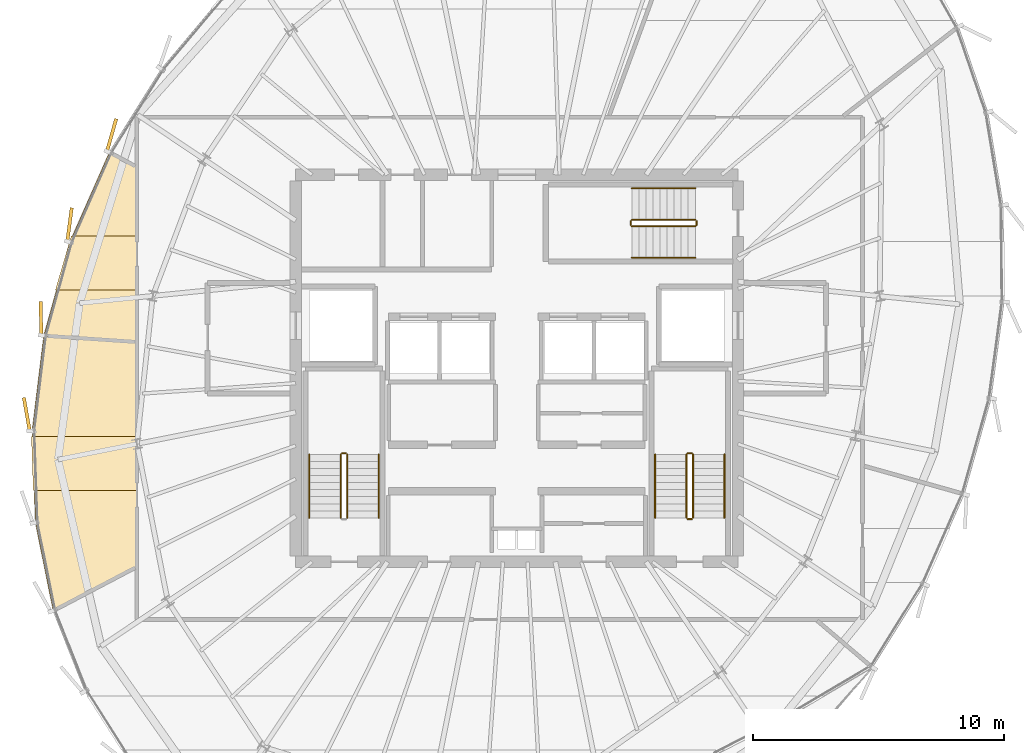
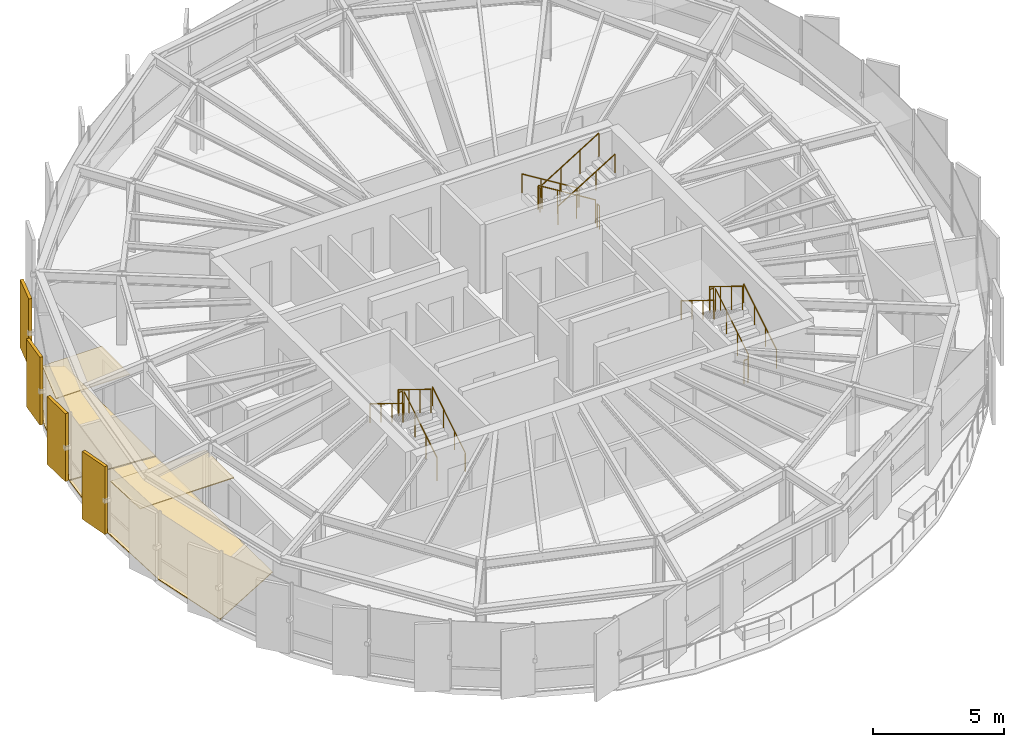
# One storey, part 30 of 31: 17 railings, 8 coverings.
"""IFC4 building model written with IfcOpenShell, lengths in metres."""

from ifc_helpers import new_model, si_unit, direction, frame, origin, origin_2d, place, context, subcontext, project, spatial, polyline, rectangle, circle, outline, extrude, source, transform, mapped, material, layer, layer_set, type_object, element, save


model = new_model("IFC4")

# Units and contexts
model_context = context("Model", 3, precision=1e-05, world=origin(), true_north=direction((0.0, 1.0)))
body_context = subcontext(model_context, "Body", "Model", "MODEL_VIEW")
ifc_project = project(units=[si_unit("LENGTHUNIT", "METRE"), si_unit("AREAUNIT", "SQUARE_METRE"), si_unit("VOLUMEUNIT", "CUBIC_METRE"), si_unit("PLANEANGLEUNIT", "RADIAN"), si_unit("MASSUNIT", "GRAM", prefix="KILO"), si_unit("THERMODYNAMICTEMPERATUREUNIT", "KELVIN")], contexts=[model_context])

# Site, building, storey
site_placement = place(None, origin())
site = spatial("IfcSite", under=ifc_project, at=site_placement, CompositionType="ELEMENT")
building_placement = place(site_placement, origin())
building = spatial("IfcBuilding", under=site, at=building_placement, Name="Kethvar Cultural Tower", CompositionType="ELEMENT")
storey_placement = place(building_placement, frame((0.0, 0.0, 283.60009765625)))
storey = spatial("IfcBuildingStorey", under=building, at=storey_placement, Name="L75", CompositionType="ELEMENT", Elevation=283.60009765625)

# Coverings
ifc_material_1 = material(Name="Acoustic Mineral Fibre Ceiling")
ifc_layer_1 = layer(ifc_material_1, 0.0400390625, Name="Acoustic Mineral Fibre Ceiling")
ifc_layer_set_1 = layer_set([ifc_layer_1], Name="Acoustic Mineral Fibre Ceiling (40 mm)")
covering_type_1 = type_object("IfcCoveringType", Name="CV-ACOUSTIC-CEIL", PredefinedType="CEILING", material=ifc_layer_set_1)
covering_1_placement = place(storey_placement, frame((0.0, 0.0, 2.559814453125)))
element("IfcCovering", 1, at=covering_1_placement, inside=storey, type_object=covering_type_1, Name="L75 Room 06 Acoustic Ceiling Panel", PredefinedType="CEILING", context=body_context, shape_type="SweptSolid", body=[
    extrude(outline(polyline([(28.437255859375, 30.91259765625), (29.0712890625, 33.062744140625), (31.699951171875, 33.062744140625), (31.699951171875, 30.91259765625), (28.437255859375, 30.91259765625)])), origin(), (0.0, 0.0, 1.0), 0.0400390625),
])
covering_2_placement = place(storey_placement, frame((0.0, 0.0, 2.559814453125)))
element("IfcCovering", 2, at=covering_2_placement, inside=storey, type_object=covering_type_1, Name="L75 Room 07 Acoustic Ceiling Panel", PredefinedType="CEILING", context=body_context, shape_type="SweptSolid", body=[
    extrude(outline(polyline([(27.484130859375, 25.087890625), (31.699951171875, 25.087890625), (31.699951171875, 22.93798828125), (27.5576171875, 22.93798828125), (27.484130859375, 25.087890625)])), origin(), (0.0, 0.0, 1.0), 0.0400390625),
])
ifc_material_2 = material(Name="Honed Warm Limestone", Category="masonry")
ifc_layer_2 = layer(ifc_material_2, 0.030029296875, Name="Honed Warm Limestone", Category="masonry")
ifc_layer_set_2 = layer_set([ifc_layer_2], Name="Honed Warm Limestone (30 mm)")
covering_type_2 = type_object("IfcCoveringType", Name="CV-STONE-FLOOR", PredefinedType="FLOORING", material=ifc_layer_set_2)
covering_3_placement = place(storey_placement, origin())
element("IfcCovering", 3, at=covering_3_placement, inside=storey, type_object=covering_type_2, Name="L75 Room 06 Floor Finish", PredefinedType="FLOORING", context=body_context, shape_type="SweptSolid", body=[
    extrude(outline(polyline([(27.98193359375, 29.12255859375), (29.00830078125, 32.8203125), (30.5732421875, 36.368896484375), (31.659912109375, 35.793701171875), (31.659912109375, 28.867919921875), (27.98193359375, 29.12255859375)])), origin(), (0.0, 0.0, 1.0), 0.02978515625),
])
covering_4_placement = place(storey_placement, origin())
element("IfcCovering", 4, at=covering_4_placement, inside=storey, type_object=covering_type_2, Name="L75 Room 07 Floor Finish", PredefinedType="FLOORING", context=body_context, shape_type="SweptSolid", body=[
    extrude(outline(polyline([(27.641357421875, 21.65673828125), (27.515380859375, 25.341064453125), (27.9736328125, 29.0830078125), (31.659912109375, 28.827880859375), (31.659912109375, 19.915283203125), (28.344482421875, 18.18359375), (27.641357421875, 21.65673828125)])), origin(), (0.0, 0.0, 1.0), 0.02978515625),
])

# Railings
ifc_material_3 = material(Name="Steel S355J2", Category="steel")
railing_type_1 = type_object("IfcRailingType", Name="RL-STAIR-GUARD", PredefinedType="BALUSTRADE", material=ifc_material_3)
railing_1_placement = place(storey_placement, frame((40.050048828125, 21.85009765625, 0.17236328125)))
element("IfcRailing", 5, at=railing_1_placement, inside=storey, type_object=railing_type_1, Name="L75 ST-01 stair guard 1", PredefinedType="BALUSTRADE", context=body_context, shape_type="SweptSolid", body=[
    extrude(circle(Radius=0.02392578125, at=origin_2d()), frame((0.0, 0.0, 1.09619140625), z_axis=(0.0, 0.851400495292, 0.524516154772), x_axis=(-1.0, 0.0, 0.0)), (0.0, 0.0, 1.0), 2.9599609375),
    extrude(circle(Radius=0.02099609375, at=origin_2d()), origin(), (0.0, 0.0, 1.0), 1.072021484375),
    extrude(circle(Radius=0.02099609375, at=origin_2d()), frame((0.0, 0.840087890625, 0.517578125)), (0.0, 0.0, 1.0), 1.072021484375),
    extrude(circle(Radius=0.02099609375, at=origin_2d()), frame((0.0, 1.679931640625, 1.034912109375)), (0.0, 0.0, 1.0), 1.072021484375),
    extrude(circle(Radius=0.02099609375, at=origin_2d()), frame((0.0, 2.52001953125, 1.552490234375)), (0.0, 0.0, 1.0), 1.072021484375),
])
railing_2_placement = place(storey_placement, frame((40.0, 24.419921875, 1.724853515625)))
element("IfcRailing", 6, at=railing_2_placement, inside=storey, type_object=railing_type_1, Name="L75 ST-01 stair guard 2", PredefinedType="BALUSTRADE", context=body_context, shape_type="SweptSolid", body=[
    extrude(circle(Radius=0.02392578125, at=origin_2d()), frame((0.0, 0.0, 1.09619140625), z_axis=(-1.0, 0.0, 0.0), x_axis=(0.0, -1.0, 0.0)), (0.0, 0.0, 1.0), 0.159912109375),
    extrude(circle(Radius=0.02099609375, at=origin_2d()), origin(), (0.0, 0.0, 1.0), 1.072021484375),
    extrude(circle(Radius=0.02099609375, at=origin_2d()), frame((-0.159912109375, 0.0, 0.0)), (0.0, 0.0, 1.0), 1.072021484375),
])
railing_3_placement = place(storey_placement, frame((39.7900390625, 24.3701171875, 1.8974609375)))
element("IfcRailing", 7, at=railing_3_placement, inside=storey, type_object=railing_type_1, Name="L75 ST-01 stair guard 3", PredefinedType="BALUSTRADE", context=body_context, shape_type="SweptSolid", body=[
    extrude(circle(Radius=0.02392578125, at=origin_2d()), frame((0.0, 0.0, 1.09619140625), z_axis=(0.0, -0.851400495292, 0.524516154772), x_axis=(1.0, 0.0, 0.0)), (0.0, 0.0, 1.0), 2.9599609375),
    extrude(circle(Radius=0.02099609375, at=origin_2d()), origin(), (0.0, 0.0, 1.0), 1.072021484375),
    extrude(circle(Radius=0.02099609375, at=origin_2d()), frame((0.0, -0.840087890625, 0.517578125)), (0.0, 0.0, 1.0), 1.072021484375),
    extrude(circle(Radius=0.02099609375, at=origin_2d()), frame((0.0, -1.679931640625, 1.034912109375)), (0.0, 0.0, 1.0), 1.072021484375),
    extrude(circle(Radius=0.02099609375, at=origin_2d()), frame((0.0, -2.52001953125, 1.552490234375)), (0.0, 0.0, 1.0), 1.072021484375),
])
railing_4_placement = place(storey_placement, frame((53.81005859375, 21.85009765625, 0.17236328125)))
element("IfcRailing", 8, at=railing_4_placement, inside=storey, type_object=railing_type_1, Name="L75 ST-02 stair guard 1", PredefinedType="BALUSTRADE", context=body_context, shape_type="SweptSolid", body=[
    extrude(circle(Radius=0.02392578125, at=origin_2d()), frame((0.0, 0.0, 1.09619140625), z_axis=(0.0, 0.851400495292, 0.524516154772), x_axis=(-1.0, 0.0, 0.0)), (0.0, 0.0, 1.0), 2.9599609375),
    extrude(circle(Radius=0.02099609375, at=origin_2d()), origin(), (0.0, 0.0, 1.0), 1.072021484375),
    extrude(circle(Radius=0.02099609375, at=origin_2d()), frame((0.0, 0.840087890625, 0.517578125)), (0.0, 0.0, 1.0), 1.072021484375),
    extrude(circle(Radius=0.02099609375, at=origin_2d()), frame((0.0, 1.679931640625, 1.034912109375)), (0.0, 0.0, 1.0), 1.072021484375),
    extrude(circle(Radius=0.02099609375, at=origin_2d()), frame((0.0, 2.52001953125, 1.552490234375)), (0.0, 0.0, 1.0), 1.072021484375),
])
railing_5_placement = place(storey_placement, frame((53.760009765625, 24.419921875, 1.724853515625)))
element("IfcRailing", 9, at=railing_5_placement, inside=storey, type_object=railing_type_1, Name="L75 ST-02 stair guard 2", PredefinedType="BALUSTRADE", context=body_context, shape_type="SweptSolid", body=[
    extrude(circle(Radius=0.02392578125, at=origin_2d()), frame((0.0, 0.0, 1.09619140625), z_axis=(-1.0, 0.0, 0.0), x_axis=(0.0, -1.0, 0.0)), (0.0, 0.0, 1.0), 0.159912109375),
    extrude(circle(Radius=0.02099609375, at=origin_2d()), origin(), (0.0, 0.0, 1.0), 1.072021484375),
    extrude(circle(Radius=0.02099609375, at=origin_2d()), frame((-0.159912109375, 0.0, 0.0)), (0.0, 0.0, 1.0), 1.072021484375),
])
railing_6_placement = place(storey_placement, frame((53.550048828125, 24.3701171875, 1.8974609375)))
element("IfcRailing", 10, at=railing_6_placement, inside=storey, type_object=railing_type_1, Name="L75 ST-02 stair guard 3", PredefinedType="BALUSTRADE", context=body_context, shape_type="SweptSolid", body=[
    extrude(circle(Radius=0.02392578125, at=origin_2d()), frame((0.0, 0.0, 1.09619140625), z_axis=(0.0, -0.851400495292, 0.524516154772), x_axis=(1.0, 0.0, 0.0)), (0.0, 0.0, 1.0), 2.9599609375),
    extrude(circle(Radius=0.02099609375, at=origin_2d()), origin(), (0.0, 0.0, 1.0), 1.072021484375),
    extrude(circle(Radius=0.02099609375, at=origin_2d()), frame((0.0, -0.840087890625, 0.517578125)), (0.0, 0.0, 1.0), 1.072021484375),
    extrude(circle(Radius=0.02099609375, at=origin_2d()), frame((0.0, -1.679931640625, 1.034912109375)), (0.0, 0.0, 1.0), 1.072021484375),
    extrude(circle(Radius=0.02099609375, at=origin_2d()), frame((0.0, -2.52001953125, 1.552490234375)), (0.0, 0.0, 1.0), 1.072021484375),
])
railing_7_placement = place(storey_placement, frame((53.760009765625, 21.800048828125, 0.0)))
element("IfcRailing", 11, at=railing_7_placement, inside=storey, type_object=railing_type_1, Name="L75 ST-02 stair guard 4", PredefinedType="BALUSTRADE", context=body_context, shape_type="SweptSolid", body=[
    extrude(circle(Radius=0.02392578125, at=origin_2d()), frame((0.0, 0.0, 1.09619140625), z_axis=(-1.0, 0.0, 0.0), x_axis=(0.0, -1.0, 0.0)), (0.0, 0.0, 1.0), 0.159912109375),
    extrude(circle(Radius=0.02099609375, at=origin_2d()), origin(), (0.0, 0.0, 1.0), 1.072021484375),
    extrude(circle(Radius=0.02099609375, at=origin_2d()), frame((-0.159912109375, 0.0, 0.0)), (0.0, 0.0, 1.0), 1.072021484375),
])
railing_8_placement = place(storey_placement, frame((53.89990234375, 33.7099609375, 0.17236328125)))
element("IfcRailing", 12, at=railing_8_placement, inside=storey, type_object=railing_type_1, Name="L75 ST-03 stair guard 1", PredefinedType="BALUSTRADE", context=body_context, shape_type="SweptSolid", body=[
    extrude(circle(Radius=0.02392578125, at=origin_2d()), frame((0.0, 0.0, 1.09619140625), z_axis=(-0.851400495292, 0.0, 0.524516154772), x_axis=(0.0, -1.0, 0.0)), (0.0, 0.0, 1.0), 2.9599609375),
    extrude(circle(Radius=0.02099609375, at=origin_2d()), origin(), (0.0, 0.0, 1.0), 1.072021484375),
    extrude(circle(Radius=0.02099609375, at=origin_2d()), frame((-0.840087890625, 0.0, 0.517578125)), (0.0, 0.0, 1.0), 1.072021484375),
    extrude(circle(Radius=0.02099609375, at=origin_2d()), frame((-1.679931640625, 0.0, 1.034912109375)), (0.0, 0.0, 1.0), 1.072021484375),
    extrude(circle(Radius=0.02099609375, at=origin_2d()), frame((-2.52001953125, 0.0, 1.552490234375)), (0.0, 0.0, 1.0), 1.072021484375),
])
railing_9_placement = place(storey_placement, frame((51.330078125, 33.659912109375, 1.724853515625)))
element("IfcRailing", 13, at=railing_9_placement, inside=storey, type_object=railing_type_1, Name="L75 ST-03 stair guard 2", PredefinedType="BALUSTRADE", context=body_context, shape_type="SweptSolid", body=[
    extrude(circle(Radius=0.02392578125, at=origin_2d()), frame((0.0, 0.0, 1.09619140625), z_axis=(0.0, -1.0, 0.0), x_axis=(1.0, 0.0, 0.0)), (0.0, 0.0, 1.0), 0.159912109375),
    extrude(circle(Radius=0.02099609375, at=origin_2d()), origin(), (0.0, 0.0, 1.0), 1.072021484375),
    extrude(circle(Radius=0.02099609375, at=origin_2d()), frame((0.0, -0.159912109375, 0.0)), (0.0, 0.0, 1.0), 1.072021484375),
])
railing_10_placement = place(storey_placement, frame((51.3798828125, 33.449951171875, 1.8974609375)))
element("IfcRailing", 14, at=railing_10_placement, inside=storey, type_object=railing_type_1, Name="L75 ST-03 stair guard 3", PredefinedType="BALUSTRADE", context=body_context, shape_type="SweptSolid", body=[
    extrude(circle(Radius=0.02392578125, at=origin_2d()), frame((0.0, 0.0, 1.09619140625), z_axis=(0.851400495292, 0.0, 0.524516154772), x_axis=(0.0, 1.0, 0.0)), (0.0, 0.0, 1.0), 2.9599609375),
    extrude(circle(Radius=0.02099609375, at=origin_2d()), origin(), (0.0, 0.0, 1.0), 1.072021484375),
    extrude(circle(Radius=0.02099609375, at=origin_2d()), frame((0.840087890625, 0.0, 0.517578125)), (0.0, 0.0, 1.0), 1.072021484375),
    extrude(circle(Radius=0.02099609375, at=origin_2d()), frame((1.679931640625, 0.0, 1.034912109375)), (0.0, 0.0, 1.0), 1.072021484375),
    extrude(circle(Radius=0.02099609375, at=origin_2d()), frame((2.52001953125, 0.0, 1.552490234375)), (0.0, 0.0, 1.0), 1.072021484375),
])
railing_11_placement = place(storey_placement, frame((53.949951171875, 33.659912109375, 0.0)))
element("IfcRailing", 15, at=railing_11_placement, inside=storey, type_object=railing_type_1, Name="L75 ST-03 stair guard 4", PredefinedType="BALUSTRADE", context=body_context, shape_type="SweptSolid", body=[
    extrude(circle(Radius=0.02392578125, at=origin_2d()), frame((0.0, 0.0, 1.09619140625), z_axis=(0.0, -1.0, 0.0), x_axis=(1.0, 0.0, 0.0)), (0.0, 0.0, 1.0), 0.159912109375),
    extrude(circle(Radius=0.02099609375, at=origin_2d()), origin(), (0.0, 0.0, 1.0), 1.072021484375),
    extrude(circle(Radius=0.02099609375, at=origin_2d()), frame((0.0, -0.159912109375, 0.0)), (0.0, 0.0, 1.0), 1.072021484375),
])
railing_type_2 = type_object("IfcRailingType", Name="RL-STAIR-HANDRAIL", PredefinedType="HANDRAIL", material=ifc_material_3)
railing_12_placement = place(storey_placement, frame((41.300048828125, 21.85009765625, 0.17236328125)))
element("IfcRailing", 16, at=railing_12_placement, inside=storey, type_object=railing_type_2, Name="L75 ST-01 stair handrail 1", PredefinedType="HANDRAIL", context=body_context, shape_type="SweptSolid", body=[
    extrude(circle(Radius=0.02392578125, at=origin_2d()), frame((0.0, 0.0, 0.8759765625), z_axis=(0.0, 0.851400495292, 0.524516154772), x_axis=(-1.0, 0.0, 0.0)), (0.0, 0.0, 1.0), 2.9599609375),
    extrude(circle(Radius=0.02099609375, at=origin_2d()), origin(), (0.0, 0.0, 1.0), 0.851806640625),
    extrude(circle(Radius=0.02099609375, at=origin_2d()), frame((0.0, 0.840087890625, 0.517578125)), (0.0, 0.0, 1.0), 0.851806640625),
    extrude(circle(Radius=0.02099609375, at=origin_2d()), frame((0.0, 1.679931640625, 1.034912109375)), (0.0, 0.0, 1.0), 0.851806640625),
    extrude(circle(Radius=0.02099609375, at=origin_2d()), frame((0.0, 2.52001953125, 1.552490234375)), (0.0, 0.0, 1.0), 0.851806640625),
])
railing_13_placement = place(storey_placement, frame((38.5400390625, 24.3701171875, 1.8974609375)))
element("IfcRailing", 17, at=railing_13_placement, inside=storey, type_object=railing_type_2, Name="L75 ST-01 stair handrail 2", PredefinedType="HANDRAIL", context=body_context, shape_type="SweptSolid", body=[
    extrude(circle(Radius=0.02392578125, at=origin_2d()), frame((0.0, 0.0, 0.8759765625), z_axis=(0.0, -0.851400495292, 0.524516154772), x_axis=(1.0, 0.0, 0.0)), (0.0, 0.0, 1.0), 2.9599609375),
    extrude(circle(Radius=0.02099609375, at=origin_2d()), origin(), (0.0, 0.0, 1.0), 0.851806640625),
    extrude(circle(Radius=0.02099609375, at=origin_2d()), frame((0.0, -0.840087890625, 0.517578125)), (0.0, 0.0, 1.0), 0.851806640625),
    extrude(circle(Radius=0.02099609375, at=origin_2d()), frame((0.0, -1.679931640625, 1.034912109375)), (0.0, 0.0, 1.0), 0.851806640625),
    extrude(circle(Radius=0.02099609375, at=origin_2d()), frame((0.0, -2.52001953125, 1.552490234375)), (0.0, 0.0, 1.0), 0.851806640625),
])
railing_14_placement = place(storey_placement, frame((55.06005859375, 21.85009765625, 0.17236328125)))
element("IfcRailing", 18, at=railing_14_placement, inside=storey, type_object=railing_type_2, Name="L75 ST-02 stair handrail 1", PredefinedType="HANDRAIL", context=body_context, shape_type="SweptSolid", body=[
    extrude(circle(Radius=0.02392578125, at=origin_2d()), frame((0.0, 0.0, 0.8759765625), z_axis=(0.0, 0.851400495292, 0.524516154772), x_axis=(-1.0, 0.0, 0.0)), (0.0, 0.0, 1.0), 2.9599609375),
    extrude(circle(Radius=0.02099609375, at=origin_2d()), origin(), (0.0, 0.0, 1.0), 0.851806640625),
    extrude(circle(Radius=0.02099609375, at=origin_2d()), frame((0.0, 0.840087890625, 0.517578125)), (0.0, 0.0, 1.0), 0.851806640625),
    extrude(circle(Radius=0.02099609375, at=origin_2d()), frame((0.0, 1.679931640625, 1.034912109375)), (0.0, 0.0, 1.0), 0.851806640625),
    extrude(circle(Radius=0.02099609375, at=origin_2d()), frame((0.0, 2.52001953125, 1.552490234375)), (0.0, 0.0, 1.0), 0.851806640625),
])
railing_15_placement = place(storey_placement, frame((52.300048828125, 24.3701171875, 1.8974609375)))
element("IfcRailing", 19, at=railing_15_placement, inside=storey, type_object=railing_type_2, Name="L75 ST-02 stair handrail 2", PredefinedType="HANDRAIL", context=body_context, shape_type="SweptSolid", body=[
    extrude(circle(Radius=0.02392578125, at=origin_2d()), frame((0.0, 0.0, 0.8759765625), z_axis=(0.0, -0.851400495292, 0.524516154772), x_axis=(1.0, 0.0, 0.0)), (0.0, 0.0, 1.0), 2.9599609375),
    extrude(circle(Radius=0.02099609375, at=origin_2d()), origin(), (0.0, 0.0, 1.0), 0.851806640625),
    extrude(circle(Radius=0.02099609375, at=origin_2d()), frame((0.0, -0.840087890625, 0.517578125)), (0.0, 0.0, 1.0), 0.851806640625),
    extrude(circle(Radius=0.02099609375, at=origin_2d()), frame((0.0, -1.679931640625, 1.034912109375)), (0.0, 0.0, 1.0), 0.851806640625),
    extrude(circle(Radius=0.02099609375, at=origin_2d()), frame((0.0, -2.52001953125, 1.552490234375)), (0.0, 0.0, 1.0), 0.851806640625),
])
railing_16_placement = place(storey_placement, frame((53.89990234375, 34.9599609375, 0.17236328125)))
element("IfcRailing", 20, at=railing_16_placement, inside=storey, type_object=railing_type_2, Name="L75 ST-03 stair handrail 1", PredefinedType="HANDRAIL", context=body_context, shape_type="SweptSolid", body=[
    extrude(circle(Radius=0.02392578125, at=origin_2d()), frame((0.0, 0.0, 0.8759765625), z_axis=(-0.851400495292, 0.0, 0.524516154772), x_axis=(0.0, -1.0, 0.0)), (0.0, 0.0, 1.0), 2.9599609375),
    extrude(circle(Radius=0.02099609375, at=origin_2d()), origin(), (0.0, 0.0, 1.0), 0.851806640625),
    extrude(circle(Radius=0.02099609375, at=origin_2d()), frame((-0.840087890625, 0.0, 0.517578125)), (0.0, 0.0, 1.0), 0.851806640625),
    extrude(circle(Radius=0.02099609375, at=origin_2d()), frame((-1.679931640625, 0.0, 1.034912109375)), (0.0, 0.0, 1.0), 0.851806640625),
    extrude(circle(Radius=0.02099609375, at=origin_2d()), frame((-2.52001953125, 0.0, 1.552490234375)), (0.0, 0.0, 1.0), 0.851806640625),
])
railing_17_placement = place(storey_placement, frame((51.3798828125, 32.199951171875, 1.8974609375)))
element("IfcRailing", 21, at=railing_17_placement, inside=storey, type_object=railing_type_2, Name="L75 ST-03 stair handrail 2", PredefinedType="HANDRAIL", context=body_context, shape_type="SweptSolid", body=[
    extrude(circle(Radius=0.02392578125, at=origin_2d()), frame((0.0, 0.0, 0.8759765625), z_axis=(0.851400495292, 0.0, 0.524516154772), x_axis=(0.0, 1.0, 0.0)), (0.0, 0.0, 1.0), 2.9599609375),
    extrude(circle(Radius=0.02099609375, at=origin_2d()), origin(), (0.0, 0.0, 1.0), 0.851806640625),
    extrude(circle(Radius=0.02099609375, at=origin_2d()), frame((0.840087890625, 0.0, 0.517578125)), (0.0, 0.0, 1.0), 0.851806640625),
    extrude(circle(Radius=0.02099609375, at=origin_2d()), frame((1.679931640625, 0.0, 1.034912109375)), (0.0, 0.0, 1.0), 0.851806640625),
    extrude(circle(Radius=0.02099609375, at=origin_2d()), frame((2.52001953125, 0.0, 1.552490234375)), (0.0, 0.0, 1.0), 0.851806640625),
])

# Coverings
ifc_material_4 = material(Name="Extruded Architectural Terracotta", Category="masonry")
ifc_layer_3 = layer(ifc_material_4, 0.135009765625, Name="Extruded Architectural Terracotta", Category="masonry")
ifc_layer_set_3 = layer_set([ifc_layer_3], Name="Extruded Architectural Terracotta (135 mm)")
covering_type_3 = type_object("IfcCoveringType", Name="Terracotta Facade Fin FIN-03", PredefinedType="CLADDING", material=ifc_layer_set_3)
shared_shape = source(origin(), body_context, "Body", "SweptSolid", [
    extrude(rectangle(XDim=1.35009765625, YDim=0.135009765625, at=origin_2d()), origin(), (0.0, 0.0, 1.0), 3.169921875),
])
for number, where, z_axis, x_axis, name in (
    (22, (30.674072265625, 37.07861328125, 0.02001953125), (0.0, 0.0, 1.0), (0.272112304173, 0.962265500742, 0.0), "L75 Vertical Terracotta Fin 2.4"),
    (23, (29.00048828125, 33.517578125, 0.02001953125), (0.0, 0.0, 1.0), (0.130699230003, 0.991422065155, 0.0), "L75 Vertical Terracotta Fin 2.5"),
    (24, (27.86474609375, 29.788818359375, 0.02001953125), (0.0, 0.0, 1.0), (-0.017801418053, 0.999841542203, 0.0), "L75 Vertical Terracotta Fin 2.6"),
    (25, (27.300048828125, 25.968505859375, 0.02001953125), (0.0, 0.0, 1.0), (-0.172960609894, 0.984928742308, 0.0), "L75 Vertical Terracotta Fin 3.1"),
):
    element("IfcCovering", number, at=place(storey_placement, frame(where, z_axis=z_axis, x_axis=x_axis)), inside=storey, type_object=covering_type_3, Name=name, PredefinedType="CLADDING", context=body_context, shape_type="MappedRepresentation", body=[
        mapped(shared_shape, transform((0.0, 0.0, 0.0), scale=1.0)),
    ])

save(model, "model.ifc")
